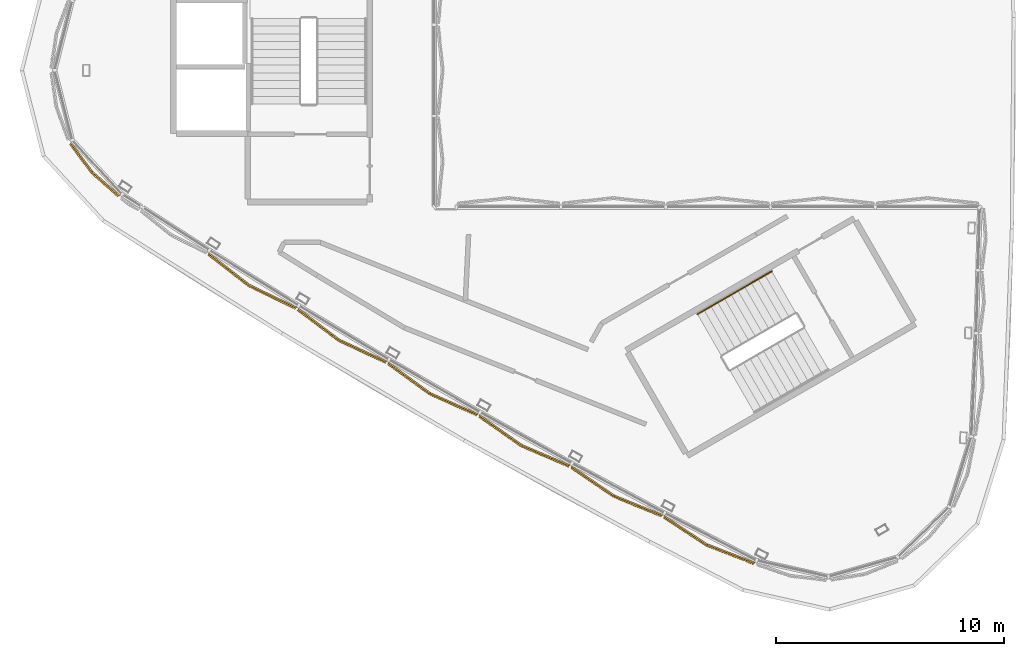
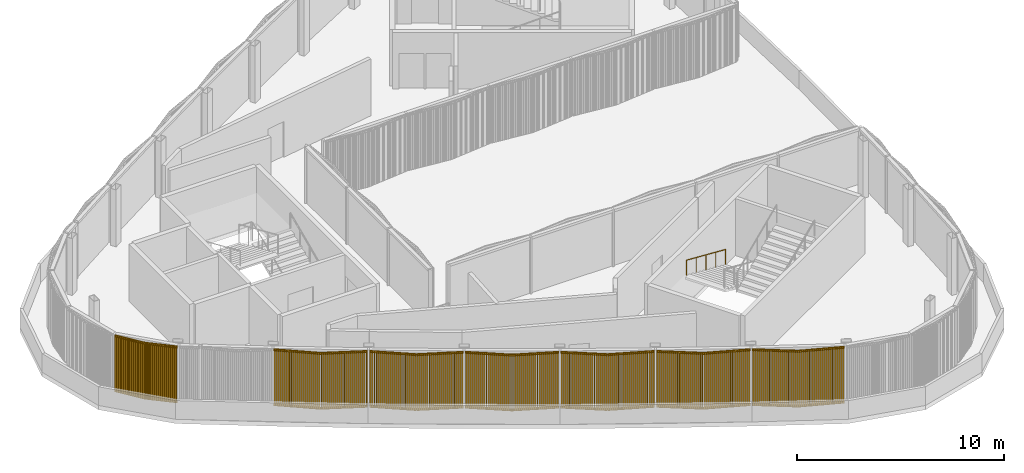
# One storey, part 9 of 16: 7 coverings, 1 railing.
"""IFC4 building model written with IfcOpenShell, lengths in metres."""

from ifc_helpers import new_model, si_unit, direction, frame, frame_2d, origin, origin_2d, place, context, subcontext, project, spatial, rectangle, circle, extrude, source, transform, mapped, material, type_object, element, save


model = new_model("IFC4")

# Units and contexts
model_context = context("Model", 3, precision=1e-05, world=origin(), true_north=direction((0.0, 1.0)))
body_context = subcontext(model_context, "Body", "Model", "MODEL_VIEW")
ifc_project = project(units=[si_unit("LENGTHUNIT", "METRE"), si_unit("AREAUNIT", "SQUARE_METRE"), si_unit("VOLUMEUNIT", "CUBIC_METRE"), si_unit("PLANEANGLEUNIT", "RADIAN"), si_unit("MASSUNIT", "GRAM", prefix="KILO")], contexts=[model_context])

# Site, building, storey
site_placement = place(None, origin())
site = spatial("IfcSite", under=ifc_project, at=site_placement, CompositionType="ELEMENT")
building_placement = place(site_placement, origin())
building = spatial("IfcBuilding", under=site, at=building_placement, Name="Tamra Quay Hotel Tower", CompositionType="ELEMENT")
storey_placement = place(building_placement, frame((0.0, 0.0, 320.60009765625)))
storey = spatial("IfcBuildingStorey", under=building, at=storey_placement, Name="Roof crown 1", CompositionType="ELEMENT", Elevation=320.60009765625)

# Railing
ifc_material_1 = material(Name="Stair handrail 900")
railing_type = type_object("IfcRailingType", Name="Stair handrail 900", PredefinedType="HANDRAIL", material=ifc_material_1)
railing_placement = place(storey_placement, frame((6.7978515625, -8.814208984375, 0.14990234375)))
element("IfcRailing", 1, at=railing_placement, inside=storey, type_object=railing_type, Name="HR", PredefinedType="HANDRAIL", context=body_context, shape_type="SweptSolid", body=[
    extrude(circle(Radius=0.02392578125, at=origin_2d()), frame((0.0, 0.0, 0.8759765625), z_axis=(-0.79310004713, -0.457886897714, 0.401661429744), x_axis=(0.499992114976, -0.866029956157, 0.0)), (0.0, 0.0, 1.0), 4.107666015625),
    extrude(circle(Radius=0.02099609375, at=origin_2d()), origin(), (0.0, 0.0, 1.0), 0.851806640625),
    extrude(circle(Radius=0.02099609375, at=origin_2d()), frame((-0.814453125, -0.47021484375, 0.41259765625)), (0.0, 0.0, 1.0), 0.851806640625),
    extrude(circle(Radius=0.02099609375, at=origin_2d()), frame((-1.62890625, -0.9404296875, 0.824951171875)), (0.0, 0.0, 1.0), 0.851806640625),
    extrude(circle(Radius=0.02099609375, at=origin_2d()), frame((-2.443359375, -1.41064453125, 1.2373046875)), (0.0, 0.0, 1.0), 0.851806640625),
    extrude(circle(Radius=0.02099609375, at=origin_2d()), frame((-3.2578125, -1.880859375, 1.64990234375)), (0.0, 0.0, 1.0), 0.851806640625),
])

# Coverings
ifc_material_2 = material(Name="Terracotta baguette extruded", Category="masonry")
covering_type = type_object("IfcCoveringType", Name="BAGUETTE SCREEN CROWN H3350", PredefinedType="USERDEFINED", material=ifc_material_2)
shared_shape_1 = source(origin(), body_context, "Body", "SweptSolid", [
    extrude(rectangle(XDim=2.244873046875, YDim=0.06005859375, at=frame_2d((1.12255859375, 0.030029296875))), frame((-2.23876953125, -0.0576171875, -0.1201171875), z_axis=(0.0, 0.0, 1.0), x_axis=(0.994521895368, -0.104528463268, 0.0)), (0.0, 0.0, 1.0), 0.1201171875),
    extrude(rectangle(XDim=2.244873046875, YDim=0.06005859375, at=frame_2d((1.12255859375, 0.030029296875))), frame((-2.23876953125, -0.0576171875, -3.35009765625), z_axis=(0.0, 0.0, 1.0), x_axis=(0.994521895368, -0.104528463268, 0.0)), (0.0, 0.0, 1.0), 0.1201171875),
    extrude(rectangle(XDim=0.070068359375, YDim=0.10009765625, at=frame_2d((0.03515625, 0.050048828125))), frame((-2.216796875, -0.13330078125, -3.2900390625)), (0.0, 0.0, 1.0), 3.22998046875),
    extrude(rectangle(XDim=0.070068359375, YDim=0.10009765625, at=frame_2d((0.03515625, 0.050048828125))), frame((-2.115234375, -0.14404296875, -3.2900390625)), (0.0, 0.0, 1.0), 3.22998046875),
    extrude(rectangle(XDim=0.070068359375, YDim=0.10009765625, at=frame_2d((0.03515625, 0.050048828125))), frame((-2.013916015625, -0.154541015625, -3.2900390625)), (0.0, 0.0, 1.0), 3.22998046875),
    extrude(rectangle(XDim=0.070068359375, YDim=0.10009765625, at=frame_2d((0.03515625, 0.050048828125))), frame((-1.912353515625, -0.165283203125, -3.2900390625)), (0.0, 0.0, 1.0), 3.22998046875),
    extrude(rectangle(XDim=0.070068359375, YDim=0.10009765625, at=frame_2d((0.03515625, 0.050048828125))), frame((-1.810791015625, -0.176025390625, -3.2900390625)), (0.0, 0.0, 1.0), 3.22998046875),
    extrude(rectangle(XDim=0.070068359375, YDim=0.10009765625, at=frame_2d((0.03515625, 0.050048828125))), frame((-1.70947265625, -0.186767578125, -3.2900390625)), (0.0, 0.0, 1.0), 3.22998046875),
    extrude(rectangle(XDim=0.070068359375, YDim=0.10009765625, at=frame_2d((0.03515625, 0.050048828125))), frame((-1.60791015625, -0.197265625, -3.2900390625)), (0.0, 0.0, 1.0), 3.22998046875),
    extrude(rectangle(XDim=0.070068359375, YDim=0.10009765625, at=frame_2d((0.03515625, 0.050048828125))), frame((-1.50634765625, -0.2080078125, -3.2900390625)), (0.0, 0.0, 1.0), 3.22998046875),
    extrude(rectangle(XDim=0.070068359375, YDim=0.10009765625, at=frame_2d((0.03515625, 0.050048828125))), frame((-1.405029296875, -0.21875, -3.2900390625)), (0.0, 0.0, 1.0), 3.22998046875),
    extrude(rectangle(XDim=0.070068359375, YDim=0.10009765625, at=frame_2d((0.03515625, 0.050048828125))), frame((-1.303466796875, -0.229248046875, -3.2900390625)), (0.0, 0.0, 1.0), 3.22998046875),
    extrude(rectangle(XDim=0.070068359375, YDim=0.10009765625, at=frame_2d((0.03515625, 0.050048828125))), frame((-1.201904296875, -0.239990234375, -3.2900390625)), (0.0, 0.0, 1.0), 3.22998046875),
    extrude(rectangle(XDim=0.070068359375, YDim=0.10009765625, at=frame_2d((0.03515625, 0.050048828125))), frame((-1.1005859375, -0.250732421875, -3.2900390625)), (0.0, 0.0, 1.0), 3.22998046875),
    extrude(rectangle(XDim=0.070068359375, YDim=0.10009765625, at=frame_2d((0.03515625, 0.050048828125))), frame((-0.9990234375, -0.26123046875, -3.2900390625)), (0.0, 0.0, 1.0), 3.22998046875),
    extrude(rectangle(XDim=0.070068359375, YDim=0.10009765625, at=frame_2d((0.03515625, 0.050048828125))), frame((-0.8974609375, -0.27197265625, -3.2900390625)), (0.0, 0.0, 1.0), 3.22998046875),
    extrude(rectangle(XDim=0.070068359375, YDim=0.10009765625, at=frame_2d((0.03515625, 0.050048828125))), frame((-0.796142578125, -0.28271484375, -3.2900390625)), (0.0, 0.0, 1.0), 3.22998046875),
    extrude(rectangle(XDim=0.070068359375, YDim=0.10009765625, at=frame_2d((0.03515625, 0.050048828125))), frame((-0.694580078125, -0.293212890625, -3.2900390625)), (0.0, 0.0, 1.0), 3.22998046875),
    extrude(rectangle(XDim=0.070068359375, YDim=0.10009765625, at=frame_2d((0.03515625, 0.050048828125))), frame((-0.593017578125, -0.303955078125, -3.2900390625)), (0.0, 0.0, 1.0), 3.22998046875),
    extrude(rectangle(XDim=0.070068359375, YDim=0.10009765625, at=frame_2d((0.03515625, 0.050048828125))), frame((-0.49169921875, -0.314697265625, -3.2900390625)), (0.0, 0.0, 1.0), 3.22998046875),
    extrude(rectangle(XDim=0.070068359375, YDim=0.10009765625, at=frame_2d((0.03515625, 0.050048828125))), frame((-0.39013671875, -0.325439453125, -3.2900390625)), (0.0, 0.0, 1.0), 3.22998046875),
    extrude(rectangle(XDim=0.070068359375, YDim=0.10009765625, at=frame_2d((0.03515625, 0.050048828125))), frame((-0.28857421875, -0.3359375, -3.2900390625)), (0.0, 0.0, 1.0), 3.22998046875),
    extrude(rectangle(XDim=0.070068359375, YDim=0.10009765625, at=frame_2d((0.03515625, 0.050048828125))), frame((-0.187255859375, -0.3466796875, -3.2900390625)), (0.0, 0.0, 1.0), 3.22998046875),
    extrude(rectangle(XDim=0.070068359375, YDim=0.10009765625, at=frame_2d((0.03515625, 0.050048828125))), frame((-0.085693359375, -0.357421875, -3.2900390625)), (0.0, 0.0, 1.0), 3.22998046875),
    extrude(rectangle(XDim=2.244873046875, YDim=0.06005859375, at=frame_2d((1.12255859375, 0.030029296875))), frame((0.00634765625, -0.292236328125, -0.1201171875), z_axis=(0.0, 0.0, 1.0), x_axis=(0.994521895368, 0.104528463268, 0.0)), (0.0, 0.0, 1.0), 0.1201171875),
    extrude(rectangle(XDim=2.244873046875, YDim=0.06005859375, at=frame_2d((1.12255859375, 0.030029296875))), frame((0.00634765625, -0.292236328125, -3.35009765625), z_axis=(0.0, 0.0, 1.0), x_axis=(0.994521895368, 0.104528463268, 0.0)), (0.0, 0.0, 1.0), 0.1201171875),
    extrude(rectangle(XDim=0.070068359375, YDim=0.10009765625, at=frame_2d((0.03515625, 0.050048828125))), frame((0.015625, -0.357421875, -3.2900390625)), (0.0, 0.0, 1.0), 3.22998046875),
    extrude(rectangle(XDim=0.070068359375, YDim=0.10009765625, at=frame_2d((0.03515625, 0.050048828125))), frame((0.1171875, -0.3466796875, -3.2900390625)), (0.0, 0.0, 1.0), 3.22998046875),
    extrude(rectangle(XDim=0.070068359375, YDim=0.10009765625, at=frame_2d((0.03515625, 0.050048828125))), frame((0.21875, -0.3359375, -3.2900390625)), (0.0, 0.0, 1.0), 3.22998046875),
    extrude(rectangle(XDim=0.070068359375, YDim=0.10009765625, at=frame_2d((0.03515625, 0.050048828125))), frame((0.320068359375, -0.325439453125, -3.2900390625)), (0.0, 0.0, 1.0), 3.22998046875),
    extrude(rectangle(XDim=0.070068359375, YDim=0.10009765625, at=frame_2d((0.03515625, 0.050048828125))), frame((0.421630859375, -0.314697265625, -3.2900390625)), (0.0, 0.0, 1.0), 3.22998046875),
    extrude(rectangle(XDim=0.070068359375, YDim=0.10009765625, at=frame_2d((0.03515625, 0.050048828125))), frame((0.523193359375, -0.303955078125, -3.2900390625)), (0.0, 0.0, 1.0), 3.22998046875),
    extrude(rectangle(XDim=0.070068359375, YDim=0.10009765625, at=frame_2d((0.03515625, 0.050048828125))), frame((0.62451171875, -0.293212890625, -3.2900390625)), (0.0, 0.0, 1.0), 3.22998046875),
    extrude(rectangle(XDim=0.070068359375, YDim=0.10009765625, at=frame_2d((0.03515625, 0.050048828125))), frame((0.72607421875, -0.28271484375, -3.2900390625)), (0.0, 0.0, 1.0), 3.22998046875),
    extrude(rectangle(XDim=0.070068359375, YDim=0.10009765625, at=frame_2d((0.03515625, 0.050048828125))), frame((0.82763671875, -0.27197265625, -3.2900390625)), (0.0, 0.0, 1.0), 3.22998046875),
    extrude(rectangle(XDim=0.070068359375, YDim=0.10009765625, at=frame_2d((0.03515625, 0.050048828125))), frame((0.928955078125, -0.26123046875, -3.2900390625)), (0.0, 0.0, 1.0), 3.22998046875),
    extrude(rectangle(XDim=0.070068359375, YDim=0.10009765625, at=frame_2d((0.03515625, 0.050048828125))), frame((1.030517578125, -0.250732421875, -3.2900390625)), (0.0, 0.0, 1.0), 3.22998046875),
    extrude(rectangle(XDim=0.070068359375, YDim=0.10009765625, at=frame_2d((0.03515625, 0.050048828125))), frame((1.132080078125, -0.239990234375, -3.2900390625)), (0.0, 0.0, 1.0), 3.22998046875),
    extrude(rectangle(XDim=0.070068359375, YDim=0.10009765625, at=frame_2d((0.03515625, 0.050048828125))), frame((1.2333984375, -0.229248046875, -3.2900390625)), (0.0, 0.0, 1.0), 3.22998046875),
    extrude(rectangle(XDim=0.070068359375, YDim=0.10009765625, at=frame_2d((0.03515625, 0.050048828125))), frame((1.3349609375, -0.21875, -3.2900390625)), (0.0, 0.0, 1.0), 3.22998046875),
    extrude(rectangle(XDim=0.070068359375, YDim=0.10009765625, at=frame_2d((0.03515625, 0.050048828125))), frame((1.4365234375, -0.2080078125, -3.2900390625)), (0.0, 0.0, 1.0), 3.22998046875),
    extrude(rectangle(XDim=0.070068359375, YDim=0.10009765625, at=frame_2d((0.03515625, 0.050048828125))), frame((1.537841796875, -0.197265625, -3.2900390625)), (0.0, 0.0, 1.0), 3.22998046875),
    extrude(rectangle(XDim=0.070068359375, YDim=0.10009765625, at=frame_2d((0.03515625, 0.050048828125))), frame((1.639404296875, -0.186767578125, -3.2900390625)), (0.0, 0.0, 1.0), 3.22998046875),
    extrude(rectangle(XDim=0.070068359375, YDim=0.10009765625, at=frame_2d((0.03515625, 0.050048828125))), frame((1.740966796875, -0.176025390625, -3.2900390625)), (0.0, 0.0, 1.0), 3.22998046875),
    extrude(rectangle(XDim=0.070068359375, YDim=0.10009765625, at=frame_2d((0.03515625, 0.050048828125))), frame((1.84228515625, -0.165283203125, -3.2900390625)), (0.0, 0.0, 1.0), 3.22998046875),
    extrude(rectangle(XDim=0.070068359375, YDim=0.10009765625, at=frame_2d((0.03515625, 0.050048828125))), frame((1.94384765625, -0.154541015625, -3.2900390625)), (0.0, 0.0, 1.0), 3.22998046875),
    extrude(rectangle(XDim=0.070068359375, YDim=0.10009765625, at=frame_2d((0.03515625, 0.050048828125))), frame((2.045166015625, -0.14404296875, -3.2900390625)), (0.0, 0.0, 1.0), 3.22998046875),
    extrude(rectangle(XDim=0.070068359375, YDim=0.10009765625, at=frame_2d((0.03515625, 0.050048828125))), frame((2.146728515625, -0.13330078125, -3.2900390625)), (0.0, 0.0, 1.0), 3.22998046875),
])
covering_1_placement = place(storey_placement, frame((4.072021484375, -20.548583984375, 3.349853515625), z_axis=(0.0, 0.0, 1.0), x_axis=(0.888486270479, -0.458903200218, 0.0)))
element("IfcCovering", 2, at=covering_1_placement, inside=storey, type_object=covering_type, Name="Baguette screen Roof crown 1.B.f14", ObjectType="BAGUETTE SCREEN", PredefinedType="USERDEFINED", context=body_context, shape_type="MappedRepresentation", body=[
    mapped(shared_shape_1, transform((0.0, 0.0, 0.0), scale=1.0)),
])
shared_shape_2 = source(origin(), body_context, "Body", "SweptSolid", [
    extrude(rectangle(XDim=1.5810546875, YDim=0.06005859375, at=frame_2d((0.79052734375, 0.030029296875))), frame((-1.578857421875, -0.0576171875, -0.1201171875), z_axis=(0.0, 0.0, 1.0), x_axis=(0.994521895368, -0.104528463268, 0.0)), (0.0, 0.0, 1.0), 0.1201171875),
    extrude(rectangle(XDim=1.5810546875, YDim=0.06005859375, at=frame_2d((0.79052734375, 0.030029296875))), frame((-1.578857421875, -0.0576171875, -3.35009765625), z_axis=(0.0, 0.0, 1.0), x_axis=(0.994521895368, -0.104528463268, 0.0)), (0.0, 0.0, 1.0), 0.1201171875),
    extrude(rectangle(XDim=0.070068359375, YDim=0.10009765625, at=frame_2d((0.03515625, 0.050048828125))), frame((-1.558349609375, -0.133056640625, -3.2900390625)), (0.0, 0.0, 1.0), 3.22998046875),
    extrude(rectangle(XDim=0.070068359375, YDim=0.10009765625, at=frame_2d((0.03515625, 0.050048828125))), frame((-1.4599609375, -0.1435546875, -3.2900390625)), (0.0, 0.0, 1.0), 3.22998046875),
    extrude(rectangle(XDim=0.070068359375, YDim=0.10009765625, at=frame_2d((0.03515625, 0.050048828125))), frame((-1.36181640625, -0.15380859375, -3.2900390625)), (0.0, 0.0, 1.0), 3.22998046875),
    extrude(rectangle(XDim=0.070068359375, YDim=0.10009765625, at=frame_2d((0.03515625, 0.050048828125))), frame((-1.263427734375, -0.1640625, -3.2900390625)), (0.0, 0.0, 1.0), 3.22998046875),
    extrude(rectangle(XDim=0.070068359375, YDim=0.10009765625, at=frame_2d((0.03515625, 0.050048828125))), frame((-1.165283203125, -0.174560546875, -3.2900390625)), (0.0, 0.0, 1.0), 3.22998046875),
    extrude(rectangle(XDim=0.070068359375, YDim=0.10009765625, at=frame_2d((0.03515625, 0.050048828125))), frame((-1.06689453125, -0.184814453125, -3.2900390625)), (0.0, 0.0, 1.0), 3.22998046875),
    extrude(rectangle(XDim=0.070068359375, YDim=0.10009765625, at=frame_2d((0.03515625, 0.050048828125))), frame((-0.96875, -0.195068359375, -3.2900390625)), (0.0, 0.0, 1.0), 3.22998046875),
    extrude(rectangle(XDim=0.070068359375, YDim=0.10009765625, at=frame_2d((0.03515625, 0.050048828125))), frame((-0.870361328125, -0.20556640625, -3.2900390625)), (0.0, 0.0, 1.0), 3.22998046875),
    extrude(rectangle(XDim=0.070068359375, YDim=0.10009765625, at=frame_2d((0.03515625, 0.050048828125))), frame((-0.772216796875, -0.2158203125, -3.2900390625)), (0.0, 0.0, 1.0), 3.22998046875),
    extrude(rectangle(XDim=0.070068359375, YDim=0.10009765625, at=frame_2d((0.03515625, 0.050048828125))), frame((-0.673828125, -0.22607421875, -3.2900390625)), (0.0, 0.0, 1.0), 3.22998046875),
    extrude(rectangle(XDim=0.070068359375, YDim=0.10009765625, at=frame_2d((0.03515625, 0.050048828125))), frame((-0.575439453125, -0.236572265625, -3.2900390625)), (0.0, 0.0, 1.0), 3.22998046875),
    extrude(rectangle(XDim=0.070068359375, YDim=0.10009765625, at=frame_2d((0.03515625, 0.050048828125))), frame((-0.477294921875, -0.246826171875, -3.2900390625)), (0.0, 0.0, 1.0), 3.22998046875),
    extrude(rectangle(XDim=0.070068359375, YDim=0.10009765625, at=frame_2d((0.03515625, 0.050048828125))), frame((-0.37890625, -0.257080078125, -3.2900390625)), (0.0, 0.0, 1.0), 3.22998046875),
    extrude(rectangle(XDim=0.070068359375, YDim=0.10009765625, at=frame_2d((0.03515625, 0.050048828125))), frame((-0.28076171875, -0.267333984375, -3.2900390625)), (0.0, 0.0, 1.0), 3.22998046875),
    extrude(rectangle(XDim=0.070068359375, YDim=0.10009765625, at=frame_2d((0.03515625, 0.050048828125))), frame((-0.182373046875, -0.27783203125, -3.2900390625)), (0.0, 0.0, 1.0), 3.22998046875),
    extrude(rectangle(XDim=0.070068359375, YDim=0.10009765625, at=frame_2d((0.03515625, 0.050048828125))), frame((-0.084228515625, -0.2880859375, -3.2900390625)), (0.0, 0.0, 1.0), 3.22998046875),
    extrude(rectangle(XDim=1.5810546875, YDim=0.06005859375, at=frame_2d((0.79052734375, 0.030029296875))), frame((0.00634765625, -0.222900390625, -0.1201171875), z_axis=(0.0, 0.0, 1.0), x_axis=(0.994521895368, 0.104528463268, 0.0)), (0.0, 0.0, 1.0), 0.1201171875),
    extrude(rectangle(XDim=1.5810546875, YDim=0.06005859375, at=frame_2d((0.79052734375, 0.030029296875))), frame((0.00634765625, -0.222900390625, -3.35009765625), z_axis=(0.0, 0.0, 1.0), x_axis=(0.994521895368, 0.104528463268, 0.0)), (0.0, 0.0, 1.0), 0.1201171875),
    extrude(rectangle(XDim=0.070068359375, YDim=0.10009765625, at=frame_2d((0.03515625, 0.050048828125))), frame((0.01416015625, -0.2880859375, -3.2900390625)), (0.0, 0.0, 1.0), 3.22998046875),
    extrude(rectangle(XDim=0.070068359375, YDim=0.10009765625, at=frame_2d((0.03515625, 0.050048828125))), frame((0.1123046875, -0.27783203125, -3.2900390625)), (0.0, 0.0, 1.0), 3.22998046875),
    extrude(rectangle(XDim=0.070068359375, YDim=0.10009765625, at=frame_2d((0.03515625, 0.050048828125))), frame((0.210693359375, -0.267333984375, -3.2900390625)), (0.0, 0.0, 1.0), 3.22998046875),
    extrude(rectangle(XDim=0.070068359375, YDim=0.10009765625, at=frame_2d((0.03515625, 0.050048828125))), frame((0.30908203125, -0.257080078125, -3.2900390625)), (0.0, 0.0, 1.0), 3.22998046875),
    extrude(rectangle(XDim=0.070068359375, YDim=0.10009765625, at=frame_2d((0.03515625, 0.050048828125))), frame((0.4072265625, -0.246826171875, -3.2900390625)), (0.0, 0.0, 1.0), 3.22998046875),
    extrude(rectangle(XDim=0.070068359375, YDim=0.10009765625, at=frame_2d((0.03515625, 0.050048828125))), frame((0.505615234375, -0.236572265625, -3.2900390625)), (0.0, 0.0, 1.0), 3.22998046875),
    extrude(rectangle(XDim=0.070068359375, YDim=0.10009765625, at=frame_2d((0.03515625, 0.050048828125))), frame((0.603759765625, -0.22607421875, -3.2900390625)), (0.0, 0.0, 1.0), 3.22998046875),
    extrude(rectangle(XDim=0.070068359375, YDim=0.10009765625, at=frame_2d((0.03515625, 0.050048828125))), frame((0.7021484375, -0.2158203125, -3.2900390625)), (0.0, 0.0, 1.0), 3.22998046875),
    extrude(rectangle(XDim=0.070068359375, YDim=0.10009765625, at=frame_2d((0.03515625, 0.050048828125))), frame((0.80029296875, -0.20556640625, -3.2900390625)), (0.0, 0.0, 1.0), 3.22998046875),
    extrude(rectangle(XDim=0.070068359375, YDim=0.10009765625, at=frame_2d((0.03515625, 0.050048828125))), frame((0.898681640625, -0.195068359375, -3.2900390625)), (0.0, 0.0, 1.0), 3.22998046875),
    extrude(rectangle(XDim=0.070068359375, YDim=0.10009765625, at=frame_2d((0.03515625, 0.050048828125))), frame((0.9970703125, -0.184814453125, -3.2900390625)), (0.0, 0.0, 1.0), 3.22998046875),
    extrude(rectangle(XDim=0.070068359375, YDim=0.10009765625, at=frame_2d((0.03515625, 0.050048828125))), frame((1.09521484375, -0.174560546875, -3.2900390625)), (0.0, 0.0, 1.0), 3.22998046875),
    extrude(rectangle(XDim=0.070068359375, YDim=0.10009765625, at=frame_2d((0.03515625, 0.050048828125))), frame((1.193603515625, -0.1640625, -3.2900390625)), (0.0, 0.0, 1.0), 3.22998046875),
    extrude(rectangle(XDim=0.070068359375, YDim=0.10009765625, at=frame_2d((0.03515625, 0.050048828125))), frame((1.291748046875, -0.15380859375, -3.2900390625)), (0.0, 0.0, 1.0), 3.22998046875),
    extrude(rectangle(XDim=0.070068359375, YDim=0.10009765625, at=frame_2d((0.03515625, 0.050048828125))), frame((1.39013671875, -0.1435546875, -3.2900390625)), (0.0, 0.0, 1.0), 3.22998046875),
    extrude(rectangle(XDim=0.070068359375, YDim=0.10009765625, at=frame_2d((0.03515625, 0.050048828125))), frame((1.48828125, -0.133056640625, -3.2900390625)), (0.0, 0.0, 1.0), 3.22998046875),
])
covering_2_placement = place(storey_placement, frame((-22.856201171875, -4.316650390625, 3.349853515625), z_axis=(0.0, 0.0, 1.0), x_axis=(0.67737593284, -0.735637033875, 0.0)))
element("IfcCovering", 3, at=covering_2_placement, inside=storey, type_object=covering_type, Name="Baguette screen Roof crown 1.C.f14", ObjectType="BAGUETTE SCREEN", PredefinedType="USERDEFINED", context=body_context, shape_type="MappedRepresentation", body=[
    mapped(shared_shape_2, transform((0.0, 0.0, 0.0), scale=1.0)),
])
shared_shape_3 = source(origin(), body_context, "Body", "SweptSolid", [
    extrude(rectangle(XDim=2.27490234375, YDim=0.06005859375, at=frame_2d((1.137451171875, 0.030029296875))), frame((-2.268798828125, -0.0576171875, -0.1201171875), z_axis=(0.0, 0.0, 1.0), x_axis=(0.994521895368, -0.104528463268, 0.0)), (0.0, 0.0, 1.0), 0.1201171875),
    extrude(rectangle(XDim=2.27490234375, YDim=0.06005859375, at=frame_2d((1.137451171875, 0.030029296875))), frame((-2.268798828125, -0.0576171875, -3.35009765625), z_axis=(0.0, 0.0, 1.0), x_axis=(0.994521895368, -0.104528463268, 0.0)), (0.0, 0.0, 1.0), 0.1201171875),
    extrude(rectangle(XDim=0.070068359375, YDim=0.10009765625, at=frame_2d((0.03515625, 0.050048828125))), frame((-2.248291015625, -0.133056640625, -3.2900390625)), (0.0, 0.0, 1.0), 3.22998046875),
    extrude(rectangle(XDim=0.070068359375, YDim=0.10009765625, at=frame_2d((0.03515625, 0.050048828125))), frame((-2.14990234375, -0.1435546875, -3.2900390625)), (0.0, 0.0, 1.0), 3.22998046875),
    extrude(rectangle(XDim=0.070068359375, YDim=0.10009765625, at=frame_2d((0.03515625, 0.050048828125))), frame((-2.051513671875, -0.15380859375, -3.2900390625)), (0.0, 0.0, 1.0), 3.22998046875),
    extrude(rectangle(XDim=0.070068359375, YDim=0.10009765625, at=frame_2d((0.03515625, 0.050048828125))), frame((-1.953125, -0.164306640625, -3.2900390625)), (0.0, 0.0, 1.0), 3.22998046875),
    extrude(rectangle(XDim=0.070068359375, YDim=0.10009765625, at=frame_2d((0.03515625, 0.050048828125))), frame((-1.854736328125, -0.174560546875, -3.2900390625)), (0.0, 0.0, 1.0), 3.22998046875),
    extrude(rectangle(XDim=0.070068359375, YDim=0.10009765625, at=frame_2d((0.03515625, 0.050048828125))), frame((-1.756591796875, -0.184814453125, -3.2900390625)), (0.0, 0.0, 1.0), 3.22998046875),
    extrude(rectangle(XDim=0.070068359375, YDim=0.10009765625, at=frame_2d((0.03515625, 0.050048828125))), frame((-1.658203125, -0.1953125, -3.2900390625)), (0.0, 0.0, 1.0), 3.22998046875),
    extrude(rectangle(XDim=0.070068359375, YDim=0.10009765625, at=frame_2d((0.03515625, 0.050048828125))), frame((-1.559814453125, -0.20556640625, -3.2900390625)), (0.0, 0.0, 1.0), 3.22998046875),
    extrude(rectangle(XDim=0.070068359375, YDim=0.10009765625, at=frame_2d((0.03515625, 0.050048828125))), frame((-1.46142578125, -0.2158203125, -3.2900390625)), (0.0, 0.0, 1.0), 3.22998046875),
    extrude(rectangle(XDim=0.070068359375, YDim=0.10009765625, at=frame_2d((0.03515625, 0.050048828125))), frame((-1.363037109375, -0.226318359375, -3.2900390625)), (0.0, 0.0, 1.0), 3.22998046875),
    extrude(rectangle(XDim=0.070068359375, YDim=0.10009765625, at=frame_2d((0.03515625, 0.050048828125))), frame((-1.2646484375, -0.236572265625, -3.2900390625)), (0.0, 0.0, 1.0), 3.22998046875),
    extrude(rectangle(XDim=0.070068359375, YDim=0.10009765625, at=frame_2d((0.03515625, 0.050048828125))), frame((-1.166259765625, -0.246826171875, -3.2900390625)), (0.0, 0.0, 1.0), 3.22998046875),
    extrude(rectangle(XDim=0.070068359375, YDim=0.10009765625, at=frame_2d((0.03515625, 0.050048828125))), frame((-1.06787109375, -0.25732421875, -3.2900390625)), (0.0, 0.0, 1.0), 3.22998046875),
    extrude(rectangle(XDim=0.070068359375, YDim=0.10009765625, at=frame_2d((0.03515625, 0.050048828125))), frame((-0.969482421875, -0.267578125, -3.2900390625)), (0.0, 0.0, 1.0), 3.22998046875),
    extrude(rectangle(XDim=0.070068359375, YDim=0.10009765625, at=frame_2d((0.03515625, 0.050048828125))), frame((-0.87109375, -0.27783203125, -3.2900390625)), (0.0, 0.0, 1.0), 3.22998046875),
    extrude(rectangle(XDim=0.070068359375, YDim=0.10009765625, at=frame_2d((0.03515625, 0.050048828125))), frame((-0.772705078125, -0.288330078125, -3.2900390625)), (0.0, 0.0, 1.0), 3.22998046875),
    extrude(rectangle(XDim=0.070068359375, YDim=0.10009765625, at=frame_2d((0.03515625, 0.050048828125))), frame((-0.67431640625, -0.298583984375, -3.2900390625)), (0.0, 0.0, 1.0), 3.22998046875),
    extrude(rectangle(XDim=0.070068359375, YDim=0.10009765625, at=frame_2d((0.03515625, 0.050048828125))), frame((-0.575927734375, -0.308837890625, -3.2900390625)), (0.0, 0.0, 1.0), 3.22998046875),
    extrude(rectangle(XDim=0.070068359375, YDim=0.10009765625, at=frame_2d((0.03515625, 0.050048828125))), frame((-0.4775390625, -0.3193359375, -3.2900390625)), (0.0, 0.0, 1.0), 3.22998046875),
    extrude(rectangle(XDim=0.070068359375, YDim=0.10009765625, at=frame_2d((0.03515625, 0.050048828125))), frame((-0.37939453125, -0.32958984375, -3.2900390625)), (0.0, 0.0, 1.0), 3.22998046875),
    extrude(rectangle(XDim=0.070068359375, YDim=0.10009765625, at=frame_2d((0.03515625, 0.050048828125))), frame((-0.281005859375, -0.33984375, -3.2900390625)), (0.0, 0.0, 1.0), 3.22998046875),
    extrude(rectangle(XDim=0.070068359375, YDim=0.10009765625, at=frame_2d((0.03515625, 0.050048828125))), frame((-0.1826171875, -0.350341796875, -3.2900390625)), (0.0, 0.0, 1.0), 3.22998046875),
    extrude(rectangle(XDim=0.070068359375, YDim=0.10009765625, at=frame_2d((0.03515625, 0.050048828125))), frame((-0.084228515625, -0.360595703125, -3.2900390625)), (0.0, 0.0, 1.0), 3.22998046875),
    extrude(rectangle(XDim=2.27490234375, YDim=0.06005859375, at=frame_2d((1.137451171875, 0.030029296875))), frame((0.00634765625, -0.29541015625, -0.1201171875), z_axis=(0.0, 0.0, 1.0), x_axis=(0.994521895368, 0.104528463268, 0.0)), (0.0, 0.0, 1.0), 0.1201171875),
    extrude(rectangle(XDim=2.27490234375, YDim=0.06005859375, at=frame_2d((1.137451171875, 0.030029296875))), frame((0.00634765625, -0.29541015625, -3.35009765625), z_axis=(0.0, 0.0, 1.0), x_axis=(0.994521895368, 0.104528463268, 0.0)), (0.0, 0.0, 1.0), 0.1201171875),
    extrude(rectangle(XDim=0.070068359375, YDim=0.10009765625, at=frame_2d((0.03515625, 0.050048828125))), frame((0.01416015625, -0.360595703125, -3.2900390625)), (0.0, 0.0, 1.0), 3.22998046875),
    extrude(rectangle(XDim=0.070068359375, YDim=0.10009765625, at=frame_2d((0.03515625, 0.050048828125))), frame((0.112548828125, -0.350341796875, -3.2900390625)), (0.0, 0.0, 1.0), 3.22998046875),
    extrude(rectangle(XDim=0.070068359375, YDim=0.10009765625, at=frame_2d((0.03515625, 0.050048828125))), frame((0.2109375, -0.33984375, -3.2900390625)), (0.0, 0.0, 1.0), 3.22998046875),
    extrude(rectangle(XDim=0.070068359375, YDim=0.10009765625, at=frame_2d((0.03515625, 0.050048828125))), frame((0.309326171875, -0.32958984375, -3.2900390625)), (0.0, 0.0, 1.0), 3.22998046875),
    extrude(rectangle(XDim=0.070068359375, YDim=0.10009765625, at=frame_2d((0.03515625, 0.050048828125))), frame((0.40771484375, -0.3193359375, -3.2900390625)), (0.0, 0.0, 1.0), 3.22998046875),
    extrude(rectangle(XDim=0.070068359375, YDim=0.10009765625, at=frame_2d((0.03515625, 0.050048828125))), frame((0.506103515625, -0.308837890625, -3.2900390625)), (0.0, 0.0, 1.0), 3.22998046875),
    extrude(rectangle(XDim=0.070068359375, YDim=0.10009765625, at=frame_2d((0.03515625, 0.050048828125))), frame((0.6044921875, -0.298583984375, -3.2900390625)), (0.0, 0.0, 1.0), 3.22998046875),
    extrude(rectangle(XDim=0.070068359375, YDim=0.10009765625, at=frame_2d((0.03515625, 0.050048828125))), frame((0.702880859375, -0.288330078125, -3.2900390625)), (0.0, 0.0, 1.0), 3.22998046875),
    extrude(rectangle(XDim=0.070068359375, YDim=0.10009765625, at=frame_2d((0.03515625, 0.050048828125))), frame((0.801025390625, -0.27783203125, -3.2900390625)), (0.0, 0.0, 1.0), 3.22998046875),
    extrude(rectangle(XDim=0.070068359375, YDim=0.10009765625, at=frame_2d((0.03515625, 0.050048828125))), frame((0.8994140625, -0.267578125, -3.2900390625)), (0.0, 0.0, 1.0), 3.22998046875),
    extrude(rectangle(XDim=0.070068359375, YDim=0.10009765625, at=frame_2d((0.03515625, 0.050048828125))), frame((0.997802734375, -0.25732421875, -3.2900390625)), (0.0, 0.0, 1.0), 3.22998046875),
    extrude(rectangle(XDim=0.070068359375, YDim=0.10009765625, at=frame_2d((0.03515625, 0.050048828125))), frame((1.09619140625, -0.246826171875, -3.2900390625)), (0.0, 0.0, 1.0), 3.22998046875),
    extrude(rectangle(XDim=0.070068359375, YDim=0.10009765625, at=frame_2d((0.03515625, 0.050048828125))), frame((1.194580078125, -0.236572265625, -3.2900390625)), (0.0, 0.0, 1.0), 3.22998046875),
    extrude(rectangle(XDim=0.070068359375, YDim=0.10009765625, at=frame_2d((0.03515625, 0.050048828125))), frame((1.29296875, -0.226318359375, -3.2900390625)), (0.0, 0.0, 1.0), 3.22998046875),
    extrude(rectangle(XDim=0.070068359375, YDim=0.10009765625, at=frame_2d((0.03515625, 0.050048828125))), frame((1.391357421875, -0.2158203125, -3.2900390625)), (0.0, 0.0, 1.0), 3.22998046875),
    extrude(rectangle(XDim=0.070068359375, YDim=0.10009765625, at=frame_2d((0.03515625, 0.050048828125))), frame((1.48974609375, -0.20556640625, -3.2900390625)), (0.0, 0.0, 1.0), 3.22998046875),
    extrude(rectangle(XDim=0.070068359375, YDim=0.10009765625, at=frame_2d((0.03515625, 0.050048828125))), frame((1.588134765625, -0.1953125, -3.2900390625)), (0.0, 0.0, 1.0), 3.22998046875),
    extrude(rectangle(XDim=0.070068359375, YDim=0.10009765625, at=frame_2d((0.03515625, 0.050048828125))), frame((1.6865234375, -0.184814453125, -3.2900390625)), (0.0, 0.0, 1.0), 3.22998046875),
    extrude(rectangle(XDim=0.070068359375, YDim=0.10009765625, at=frame_2d((0.03515625, 0.050048828125))), frame((1.784912109375, -0.174560546875, -3.2900390625)), (0.0, 0.0, 1.0), 3.22998046875),
    extrude(rectangle(XDim=0.070068359375, YDim=0.10009765625, at=frame_2d((0.03515625, 0.050048828125))), frame((1.88330078125, -0.164306640625, -3.2900390625)), (0.0, 0.0, 1.0), 3.22998046875),
    extrude(rectangle(XDim=0.070068359375, YDim=0.10009765625, at=frame_2d((0.03515625, 0.050048828125))), frame((1.981689453125, -0.15380859375, -3.2900390625)), (0.0, 0.0, 1.0), 3.22998046875),
    extrude(rectangle(XDim=0.070068359375, YDim=0.10009765625, at=frame_2d((0.03515625, 0.050048828125))), frame((2.079833984375, -0.1435546875, -3.2900390625)), (0.0, 0.0, 1.0), 3.22998046875),
    extrude(rectangle(XDim=0.070068359375, YDim=0.10009765625, at=frame_2d((0.03515625, 0.050048828125))), frame((2.17822265625, -0.133056640625, -3.2900390625)), (0.0, 0.0, 1.0), 3.22998046875),
])
for number, where, z_axis, x_axis, name in (
    (4, (-15.95947265625, -9.189453125, 3.349853515625), (0.0, 0.0, 1.0), (0.849981732244, -0.526812162779, 0.0), "Baguette screen Roof crown 1.B.f09"),
    (5, (-12.018798828125, -11.58935546875, 3.349853515625), (0.0, 0.0, 1.0), (0.858103653871, -0.513476503078, 0.0), "Baguette screen Roof crown 1.B.f10"),
    (6, (-8.041015625, -13.927490234375, 3.349853515625), (0.0, 0.0, 1.0), (0.866025403784, -0.5, 0.0), "Baguette screen Roof crown 1.B.f11"),
    (7, (-4.02734375, -16.203125, 3.349853515625), (0.0, 0.0, 1.0), (0.873735522847, -0.486401311794, 0.0), "Baguette screen Roof crown 1.B.f12"),
    (8, (0.021484375, -18.416015625, 3.349853515625), (0.0, 0.0, 1.0), (0.881223582111, -0.472699691486, 0.0), "Baguette screen Roof crown 1.B.f13"),
):
    element("IfcCovering", number, at=place(storey_placement, frame(where, z_axis=z_axis, x_axis=x_axis)), inside=storey, type_object=covering_type, Name=name, ObjectType="BAGUETTE SCREEN", PredefinedType="USERDEFINED", context=body_context, shape_type="MappedRepresentation", body=[
        mapped(shared_shape_3, transform((0.0, 0.0, 0.0), scale=1.0)),
    ])

save(model, "model.ifc")
